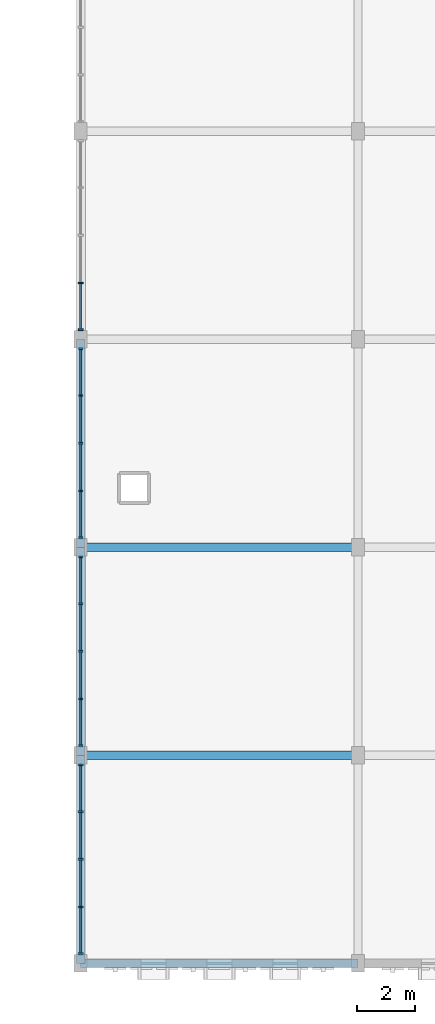
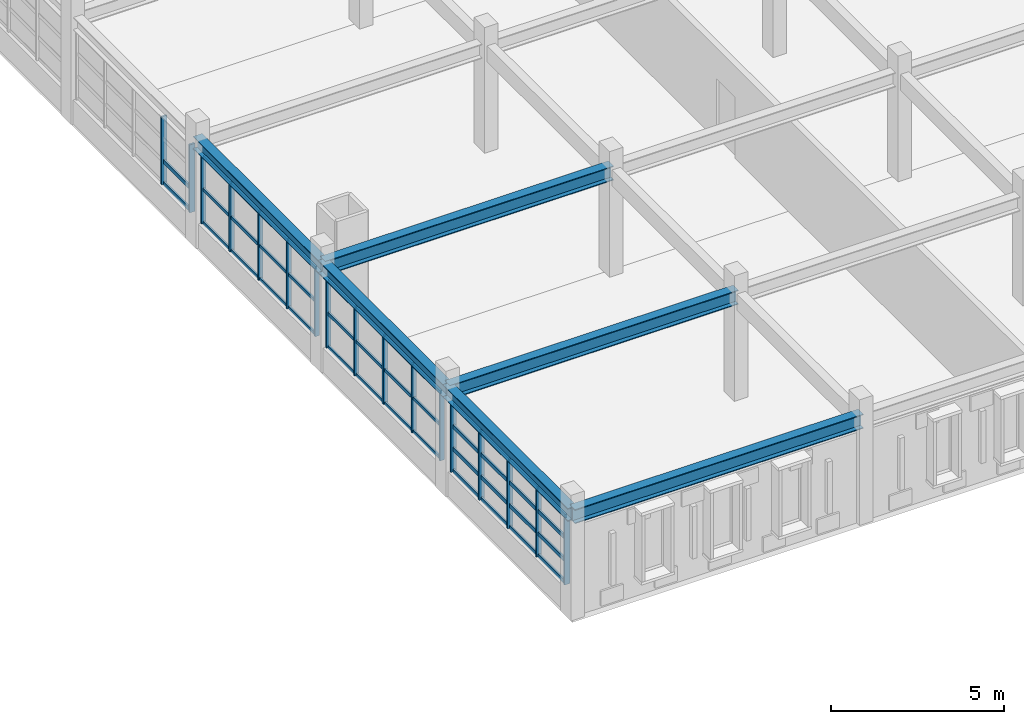
# One storey, part 9 of 69: 59 members, 6 beams, 4 elements without a shape of their own.
"""IFC4 building model written with IfcOpenShell, lengths in metres."""

from ifc_helpers import new_model, si_unit, direction, frame, origin, origin_2d, place, context, subcontext, project, spatial, rectangle, i_section, extrude, material, material_profile, profile_set, type_object, element, aggregate, save


model = new_model("IFC4")

# Units and contexts
model_context = context("Model", 3, precision=1e-05, world=origin(), true_north=direction((0.0, 1.0)))
body_context = subcontext(model_context, "Body", "Model", "MODEL_VIEW")
ifc_project = project(units=[si_unit("LENGTHUNIT", "METRE"), si_unit("AREAUNIT", "SQUARE_METRE"), si_unit("VOLUMEUNIT", "CUBIC_METRE"), si_unit("PLANEANGLEUNIT", "RADIAN"), si_unit("MASSUNIT", "GRAM", prefix="KILO")], contexts=[model_context])

# Site, building, storey
site_placement = place(None, origin())
site = spatial("IfcSite", under=ifc_project, at=site_placement, CompositionType="ELEMENT")
building_placement = place(site_placement, origin())
building = spatial("IfcBuilding", under=site, at=building_placement, Name="Nzembalo Square Collegiate School", CompositionType="ELEMENT")
storey_placement = place(building_placement, frame((0.0, 0.0, 5.10009765625)))
storey = spatial("IfcBuildingStorey", under=building, at=storey_placement, Name="L01", CompositionType="ELEMENT", Elevation=5.10009765625)

# Beams
ifc_material_1 = material(Name="Steel S355", Category="steel")
ifc_material_profile_1 = material_profile(ifc_material_1, i_section(OverallWidth=0.300048828125, OverallDepth=0.5, WebThickness=0.014404296875, FlangeThickness=0.028076171875, at=origin_2d()), Name="HEB 500")
ifc_profile_set_1 = profile_set([ifc_material_profile_1], Name="Steel S355")
beam_type_1 = type_object("IfcBeamType", Name="B07", PredefinedType="BEAM", material=ifc_profile_set_1)
for number, where, z_axis, x_axis, name in (
    (1, (130.800048828125, 8.39990234375, 3.5), (1.0, 0.0, 0.0), (0.0, 1.0, 0.0), "Beam B07 L01"),
    (2, (130.800048828125, 15.60009765625, 3.5), (1.0, 0.0, 0.0), (0.0, 1.0, 0.0), "Beam B07 L01"),
    (3, (130.800048828125, 22.800048828125, 3.5), (1.0, 0.0, 0.0), (0.0, 1.0, 0.0), "Beam B07 L01"),
):
    element("IfcBeam", number, at=place(storey_placement, frame(where, z_axis=z_axis, x_axis=x_axis)), inside=storey, type_object=beam_type_1, Name=name, PredefinedType="BEAM", context=body_context, shape_type="SweptSolid", body=[
        extrude(i_section(OverallWidth=0.300048828125, OverallDepth=0.5, WebThickness=0.014404296875, FlangeThickness=0.028076171875, at=origin_2d()), origin(), (0.0, 0.0, 1.0), 9.599853515625),
    ])
ifc_material_2 = material(Name="Steel S355", Category="steel")
ifc_material_profile_2 = material_profile(ifc_material_2, i_section(OverallWidth=0.300048828125, OverallDepth=0.449951171875, WebThickness=0.013916015625, FlangeThickness=0.02587890625, at=origin_2d()), Name="HEB 450")
ifc_profile_set_2 = profile_set([ifc_material_profile_2], Name="Steel S355")
beam_type_2 = type_object("IfcBeamType", Name="B08", PredefinedType="BEAM", material=ifc_profile_set_2)
beam_placement = place(storey_placement, frame((130.800048828125, 8.39990234375, 3.52490234375), z_axis=(0.0, 1.0, 0.0), x_axis=(-1.0, 0.0, 0.0)))
element("IfcBeam", 4, at=beam_placement, inside=storey, type_object=beam_type_2, Name="Beam B08 L01", PredefinedType="BEAM", context=body_context, shape_type="SweptSolid", body=[
    extrude(i_section(OverallWidth=0.300048828125, OverallDepth=0.449951171875, WebThickness=0.013916015625, FlangeThickness=0.02587890625, at=origin_2d()), origin(), (0.0, 0.0, 1.0), 7.2001953125),
])
for number, where, z_axis, x_axis, name in (
    (5, (130.800048828125, 15.60009765625, 3.52490234375), (0.0, 1.0, 0.0), (-1.0, 0.0, 0.0), "Beam B08 L01"),
    (6, (130.800048828125, 22.800048828125, 3.52490234375), (0.0, 1.0, 0.0), (-1.0, 0.0, 0.0), "Beam B08 L01"),
):
    element("IfcBeam", number, at=place(storey_placement, frame(where, z_axis=z_axis, x_axis=x_axis)), inside=storey, type_object=beam_type_2, Name=name, PredefinedType="BEAM", context=body_context, shape_type="SweptSolid", body=[
        extrude(i_section(OverallWidth=0.300048828125, OverallDepth=0.449951171875, WebThickness=0.013916015625, FlangeThickness=0.02587890625, at=origin_2d()), origin(), (0.0, 0.0, 1.0), 7.199951171875),
    ])

# Curtain wall, members
ifc_material_3 = material(Name="Aluminium 6060-T66", Category="aluminium")
curtain_wall_type_1 = type_object("IfcCurtainWallType", Name="CW-06", PredefinedType="USERDEFINED", material=ifc_material_3)
curtain_wall_1_placement = place(storey_placement, origin())
curtain_wall_1 = element("IfcCurtainWall", 7, at=curtain_wall_1_placement, inside=storey, type_object=curtain_wall_type_1, Name="Curtain wall CW-06 cw:L01:053", ObjectType="LANCET", PredefinedType="USERDEFINED")
ifc_material_4 = material(Name="Aluminium 6060-T66", Category="aluminium")
ifc_material_profile_3 = material_profile(ifc_material_4, rectangle(XDim=0.06005859375, YDim=0.179931640625, at=origin_2d()), Name="ALU M60x180")
ifc_profile_set_3 = profile_set([ifc_material_profile_3], Name="Aluminium 6060-T66")
member_type_1 = type_object("IfcMemberType", Name="ML01", PredefinedType="MULLION", material=ifc_profile_set_3)
member_1_placement = place(storey_placement, frame((130.800048828125, 8.73193359375, 0.849853515625), z_axis=(0.0, 0.0, 1.0), x_axis=(0.0, 1.0, 0.0)))
member_1 = element("IfcMember", 8, at=member_1_placement, type_object=member_type_1, Name="ML01 mullion 1", PredefinedType="MULLION", context=body_context, shape_type="SweptSolid", body=[
    extrude(rectangle(XDim=0.06005859375, YDim=0.179931640625, at=origin_2d()), origin(), (0.0, 0.0, 1.0), 2.39404296875),
])
member_2_placement = place(storey_placement, frame((130.800048828125, 10.35107421875, 0.849853515625), z_axis=(0.0, 0.0, 1.0), x_axis=(0.0, 1.0, 0.0)))
member_2 = element("IfcMember", 9, at=member_2_placement, type_object=member_type_1, Name="ML01 mullion 2", PredefinedType="MULLION", context=body_context, shape_type="SweptSolid", body=[
    extrude(rectangle(XDim=0.06005859375, YDim=0.179931640625, at=origin_2d()), origin(), (0.0, 0.0, 1.0), 2.39404296875),
])
member_3_placement = place(storey_placement, frame((130.800048828125, 12.0, 0.849853515625), z_axis=(0.0, 0.0, 1.0), x_axis=(0.0, 1.0, 0.0)))
member_3 = element("IfcMember", 10, at=member_3_placement, type_object=member_type_1, Name="ML01 mullion 3", PredefinedType="MULLION", context=body_context, shape_type="SweptSolid", body=[
    extrude(rectangle(XDim=0.06005859375, YDim=0.179931640625, at=origin_2d()), origin(), (0.0, 0.0, 1.0), 2.39404296875),
])
member_4_placement = place(storey_placement, frame((130.800048828125, 13.64892578125, 0.849853515625), z_axis=(0.0, 0.0, 1.0), x_axis=(0.0, 1.0, 0.0)))
member_4 = element("IfcMember", 11, at=member_4_placement, type_object=member_type_1, Name="ML01 mullion 4", PredefinedType="MULLION", context=body_context, shape_type="SweptSolid", body=[
    extrude(rectangle(XDim=0.06005859375, YDim=0.179931640625, at=origin_2d()), origin(), (0.0, 0.0, 1.0), 2.39404296875),
])
member_5_placement = place(storey_placement, frame((130.800048828125, 15.26806640625, 0.849853515625), z_axis=(0.0, 0.0, 1.0), x_axis=(0.0, 1.0, 0.0)))
member_5 = element("IfcMember", 12, at=member_5_placement, type_object=member_type_1, Name="ML01 mullion 5", PredefinedType="MULLION", context=body_context, shape_type="SweptSolid", body=[
    extrude(rectangle(XDim=0.06005859375, YDim=0.179931640625, at=origin_2d()), origin(), (0.0, 0.0, 1.0), 2.39404296875),
])

ifc_material_5 = material(Name="Aluminium 6060-T66", Category="aluminium")
curtain_wall_type_2 = type_object("IfcCurtainWallType", Name="CW-01", PredefinedType="USERDEFINED", material=ifc_material_5)
curtain_wall_2_placement = place(storey_placement, origin())
curtain_wall_2 = element("IfcCurtainWall", 13, at=curtain_wall_2_placement, inside=storey, type_object=curtain_wall_type_2, Name="Curtain wall CW-01 cw:L01:056", ObjectType="UNITISED", PredefinedType="USERDEFINED")
member_6_placement = place(storey_placement, frame((130.800048828125, 30.33203125, 0.849853515625), z_axis=(0.0, 0.0, 1.0), x_axis=(0.0, 1.0, 0.0)))
member_6 = element("IfcMember", 14, at=member_6_placement, type_object=member_type_1, Name="ML01 mullion 1", PredefinedType="MULLION", context=body_context, shape_type="SweptSolid", body=[
    extrude(rectangle(XDim=0.06005859375, YDim=0.179931640625, at=origin_2d()), origin(), (0.0, 0.0, 1.0), 2.39404296875),
])
member_7_placement = place(storey_placement, frame((130.800048828125, 31.950927734375, 0.849853515625), z_axis=(0.0, 0.0, 1.0), x_axis=(0.0, 1.0, 0.0)))
member_7 = element("IfcMember", 15, at=member_7_placement, type_object=member_type_1, Name="ML01 mullion 2", PredefinedType="MULLION", context=body_context, shape_type="SweptSolid", body=[
    extrude(rectangle(XDim=0.06005859375, YDim=0.179931640625, at=origin_2d()), origin(), (0.0, 0.0, 1.0), 2.39404296875),
])

ifc_material_6 = material(Name="Aluminium 6060-T66", Category="aluminium")
curtain_wall_type_3 = type_object("IfcCurtainWallType", Name="CW-07", PredefinedType="USERDEFINED", material=ifc_material_6)
curtain_wall_3_placement = place(storey_placement, origin())
curtain_wall_3 = element("IfcCurtainWall", 16, at=curtain_wall_3_placement, inside=storey, type_object=curtain_wall_type_3, Name="Curtain wall CW-07 cw:L01:054", ObjectType="LANCET", PredefinedType="USERDEFINED")
ifc_material_7 = material(Name="Aluminium 6060-T66", Category="aluminium")
ifc_material_profile_4 = material_profile(ifc_material_7, rectangle(XDim=0.06005859375, YDim=0.14990234375, at=origin_2d()), Name="ALU M60x150")
ifc_profile_set_4 = profile_set([ifc_material_profile_4], Name="Aluminium 6060-T66")
member_type_2 = type_object("IfcMemberType", Name="ML02", PredefinedType="MULLION", material=ifc_profile_set_4)
member_8_placement = place(storey_placement, frame((130.800048828125, 15.931884765625, 0.849853515625), z_axis=(0.0, 0.0, 1.0), x_axis=(0.0, 1.0, 0.0)))
member_8 = element("IfcMember", 17, at=member_8_placement, type_object=member_type_2, Name="ML02 mullion 1", PredefinedType="MULLION", context=body_context, shape_type="SweptSolid", body=[
    extrude(rectangle(XDim=0.06005859375, YDim=0.14990234375, at=origin_2d()), origin(), (0.0, 0.0, 1.0), 2.39404296875),
])
member_9_placement = place(storey_placement, frame((130.800048828125, 17.551025390625, 0.849853515625), z_axis=(0.0, 0.0, 1.0), x_axis=(0.0, 1.0, 0.0)))
member_9 = element("IfcMember", 18, at=member_9_placement, type_object=member_type_2, Name="ML02 mullion 2", PredefinedType="MULLION", context=body_context, shape_type="SweptSolid", body=[
    extrude(rectangle(XDim=0.06005859375, YDim=0.14990234375, at=origin_2d()), origin(), (0.0, 0.0, 1.0), 2.39404296875),
])
member_10_placement = place(storey_placement, frame((130.800048828125, 19.199951171875, 0.849853515625), z_axis=(0.0, 0.0, 1.0), x_axis=(0.0, 1.0, 0.0)))
member_10 = element("IfcMember", 19, at=member_10_placement, type_object=member_type_2, Name="ML02 mullion 3", PredefinedType="MULLION", context=body_context, shape_type="SweptSolid", body=[
    extrude(rectangle(XDim=0.06005859375, YDim=0.14990234375, at=origin_2d()), origin(), (0.0, 0.0, 1.0), 2.39404296875),
])
member_11_placement = place(storey_placement, frame((130.800048828125, 20.84912109375, 0.849853515625), z_axis=(0.0, 0.0, 1.0), x_axis=(0.0, 1.0, 0.0)))
member_11 = element("IfcMember", 20, at=member_11_placement, type_object=member_type_2, Name="ML02 mullion 4", PredefinedType="MULLION", context=body_context, shape_type="SweptSolid", body=[
    extrude(rectangle(XDim=0.06005859375, YDim=0.14990234375, at=origin_2d()), origin(), (0.0, 0.0, 1.0), 2.39404296875),
])
member_12_placement = place(storey_placement, frame((130.800048828125, 22.468017578125, 0.849853515625), z_axis=(0.0, 0.0, 1.0), x_axis=(0.0, 1.0, 0.0)))
member_12 = element("IfcMember", 21, at=member_12_placement, type_object=member_type_2, Name="ML02 mullion 5", PredefinedType="MULLION", context=body_context, shape_type="SweptSolid", body=[
    extrude(rectangle(XDim=0.06005859375, YDim=0.14990234375, at=origin_2d()), origin(), (0.0, 0.0, 1.0), 2.39404296875),
])

ifc_material_8 = material(Name="Aluminium 6060-T66", Category="aluminium")
curtain_wall_type_4 = type_object("IfcCurtainWallType", Name="CW-08", PredefinedType="USERDEFINED", material=ifc_material_8)
curtain_wall_4_placement = place(storey_placement, origin())
curtain_wall_4 = element("IfcCurtainWall", 22, at=curtain_wall_4_placement, inside=storey, type_object=curtain_wall_type_4, Name="Curtain wall CW-08 cw:L01:055", ObjectType="LANCET", PredefinedType="USERDEFINED")
member_13_placement = place(storey_placement, frame((130.800048828125, 23.132080078125, 0.849853515625), z_axis=(0.0, 0.0, 1.0), x_axis=(0.0, 1.0, 0.0)))
member_13 = element("IfcMember", 23, at=member_13_placement, type_object=member_type_2, Name="ML02 mullion 1", PredefinedType="MULLION", context=body_context, shape_type="SweptSolid", body=[
    extrude(rectangle(XDim=0.06005859375, YDim=0.14990234375, at=origin_2d()), origin(), (0.0, 0.0, 1.0), 2.39404296875),
])
member_14_placement = place(storey_placement, frame((130.800048828125, 24.7509765625, 0.849853515625), z_axis=(0.0, 0.0, 1.0), x_axis=(0.0, 1.0, 0.0)))
member_14 = element("IfcMember", 24, at=member_14_placement, type_object=member_type_2, Name="ML02 mullion 2", PredefinedType="MULLION", context=body_context, shape_type="SweptSolid", body=[
    extrude(rectangle(XDim=0.06005859375, YDim=0.14990234375, at=origin_2d()), origin(), (0.0, 0.0, 1.0), 2.39404296875),
])
member_15_placement = place(storey_placement, frame((130.800048828125, 26.39990234375, 0.849853515625), z_axis=(0.0, 0.0, 1.0), x_axis=(0.0, 1.0, 0.0)))
member_15 = element("IfcMember", 25, at=member_15_placement, type_object=member_type_2, Name="ML02 mullion 3", PredefinedType="MULLION", context=body_context, shape_type="SweptSolid", body=[
    extrude(rectangle(XDim=0.06005859375, YDim=0.14990234375, at=origin_2d()), origin(), (0.0, 0.0, 1.0), 2.39404296875),
])
member_16_placement = place(storey_placement, frame((130.800048828125, 28.049072265625, 0.849853515625), z_axis=(0.0, 0.0, 1.0), x_axis=(0.0, 1.0, 0.0)))
member_16 = element("IfcMember", 26, at=member_16_placement, type_object=member_type_2, Name="ML02 mullion 4", PredefinedType="MULLION", context=body_context, shape_type="SweptSolid", body=[
    extrude(rectangle(XDim=0.06005859375, YDim=0.14990234375, at=origin_2d()), origin(), (0.0, 0.0, 1.0), 2.39404296875),
])
member_17_placement = place(storey_placement, frame((130.800048828125, 29.66796875, 0.849853515625), z_axis=(0.0, 0.0, 1.0), x_axis=(0.0, 1.0, 0.0)))
member_17 = element("IfcMember", 27, at=member_17_placement, type_object=member_type_2, Name="ML02 mullion 5", PredefinedType="MULLION", context=body_context, shape_type="SweptSolid", body=[
    extrude(rectangle(XDim=0.06005859375, YDim=0.14990234375, at=origin_2d()), origin(), (0.0, 0.0, 1.0), 2.39404296875),
])

# Member
ifc_material_9 = material(Name="Aluminium 6060-T66", Category="aluminium")
ifc_material_profile_5 = material_profile(ifc_material_9, rectangle(XDim=0.06005859375, YDim=0.139892578125, at=origin_2d()), Name="ALU T60x140")
ifc_profile_set_5 = profile_set([ifc_material_profile_5], Name="Aluminium 6060-T66")
member_type_3 = type_object("IfcMemberType", Name="TR01", PredefinedType="USERDEFINED", material=ifc_profile_set_5)
member_18_placement = place(storey_placement, frame((130.800048828125, 8.761962890625, 0.8798828125), z_axis=(0.0, 1.0, 0.0), x_axis=(-1.0, 0.0, 0.0)))
member_18 = element("IfcMember", 28, at=member_18_placement, type_object=member_type_3, Name="TR01 transom 1-1", ObjectType="TRANSOM", PredefinedType="USERDEFINED", context=body_context, shape_type="SweptSolid", body=[
    extrude(rectangle(XDim=0.06005859375, YDim=0.139892578125, at=origin_2d()), origin(), (0.0, 0.0, 1.0), 1.55908203125),
])

member_19_placement = place(storey_placement, frame((130.800048828125, 10.381103515625, 0.8798828125), z_axis=(0.0, 1.0, 0.0), x_axis=(-1.0, 0.0, 0.0)))
member_19 = element("IfcMember", 29, at=member_19_placement, type_object=member_type_3, Name="TR01 transom 1-2", ObjectType="TRANSOM", PredefinedType="USERDEFINED", context=body_context, shape_type="SweptSolid", body=[
    extrude(rectangle(XDim=0.06005859375, YDim=0.139892578125, at=origin_2d()), origin(), (0.0, 0.0, 1.0), 1.5888671875),
])

member_20_placement = place(storey_placement, frame((130.800048828125, 12.030029296875, 0.8798828125), z_axis=(0.0, 1.0, 0.0), x_axis=(-1.0, 0.0, 0.0)))
member_20 = element("IfcMember", 30, at=member_20_placement, type_object=member_type_3, Name="TR01 transom 1-3", ObjectType="TRANSOM", PredefinedType="USERDEFINED", context=body_context, shape_type="SweptSolid", body=[
    extrude(rectangle(XDim=0.06005859375, YDim=0.139892578125, at=origin_2d()), origin(), (0.0, 0.0, 1.0), 1.5888671875),
])

member_21_placement = place(storey_placement, frame((130.800048828125, 13.678955078125, 0.8798828125), z_axis=(0.0, 1.0, 0.0), x_axis=(-1.0, 0.0, 0.0)))
member_21 = element("IfcMember", 31, at=member_21_placement, type_object=member_type_3, Name="TR01 transom 1-4", ObjectType="TRANSOM", PredefinedType="USERDEFINED", context=body_context, shape_type="SweptSolid", body=[
    extrude(rectangle(XDim=0.06005859375, YDim=0.139892578125, at=origin_2d()), origin(), (0.0, 0.0, 1.0), 1.55908203125),
])

member_22_placement = place(storey_placement, frame((130.800048828125, 8.761962890625, 1.64794921875), z_axis=(0.0, 1.0, 0.0), x_axis=(-1.0, 0.0, 0.0)))
member_22 = element("IfcMember", 32, at=member_22_placement, type_object=member_type_3, Name="TR01 transom 2-1", ObjectType="TRANSOM", PredefinedType="USERDEFINED", context=body_context, shape_type="SweptSolid", body=[
    extrude(rectangle(XDim=0.06005859375, YDim=0.139892578125, at=origin_2d()), origin(), (0.0, 0.0, 1.0), 1.55908203125),
])

member_23_placement = place(storey_placement, frame((130.800048828125, 10.381103515625, 1.64794921875), z_axis=(0.0, 1.0, 0.0), x_axis=(-1.0, 0.0, 0.0)))
member_23 = element("IfcMember", 33, at=member_23_placement, type_object=member_type_3, Name="TR01 transom 2-2", ObjectType="TRANSOM", PredefinedType="USERDEFINED", context=body_context, shape_type="SweptSolid", body=[
    extrude(rectangle(XDim=0.06005859375, YDim=0.139892578125, at=origin_2d()), origin(), (0.0, 0.0, 1.0), 1.5888671875),
])

member_24_placement = place(storey_placement, frame((130.800048828125, 12.030029296875, 1.64794921875), z_axis=(0.0, 1.0, 0.0), x_axis=(-1.0, 0.0, 0.0)))
member_24 = element("IfcMember", 34, at=member_24_placement, type_object=member_type_3, Name="TR01 transom 2-3", ObjectType="TRANSOM", PredefinedType="USERDEFINED", context=body_context, shape_type="SweptSolid", body=[
    extrude(rectangle(XDim=0.06005859375, YDim=0.139892578125, at=origin_2d()), origin(), (0.0, 0.0, 1.0), 1.5888671875),
])

member_25_placement = place(storey_placement, frame((130.800048828125, 13.678955078125, 1.64794921875), z_axis=(0.0, 1.0, 0.0), x_axis=(-1.0, 0.0, 0.0)))
member_25 = element("IfcMember", 35, at=member_25_placement, type_object=member_type_3, Name="TR01 transom 2-4", ObjectType="TRANSOM", PredefinedType="USERDEFINED", context=body_context, shape_type="SweptSolid", body=[
    extrude(rectangle(XDim=0.06005859375, YDim=0.139892578125, at=origin_2d()), origin(), (0.0, 0.0, 1.0), 1.55908203125),
])

member_26_placement = place(storey_placement, frame((130.800048828125, 8.761962890625, 2.44580078125), z_axis=(0.0, 1.0, 0.0), x_axis=(-1.0, 0.0, 0.0)))
member_26 = element("IfcMember", 36, at=member_26_placement, type_object=member_type_3, Name="TR01 transom 3-1", ObjectType="TRANSOM", PredefinedType="USERDEFINED", context=body_context, shape_type="SweptSolid", body=[
    extrude(rectangle(XDim=0.06005859375, YDim=0.139892578125, at=origin_2d()), origin(), (0.0, 0.0, 1.0), 1.55908203125),
])

member_27_placement = place(storey_placement, frame((130.800048828125, 10.381103515625, 2.44580078125), z_axis=(0.0, 1.0, 0.0), x_axis=(-1.0, 0.0, 0.0)))
member_27 = element("IfcMember", 37, at=member_27_placement, type_object=member_type_3, Name="TR01 transom 3-2", ObjectType="TRANSOM", PredefinedType="USERDEFINED", context=body_context, shape_type="SweptSolid", body=[
    extrude(rectangle(XDim=0.06005859375, YDim=0.139892578125, at=origin_2d()), origin(), (0.0, 0.0, 1.0), 1.5888671875),
])

member_28_placement = place(storey_placement, frame((130.800048828125, 12.030029296875, 2.44580078125), z_axis=(0.0, 1.0, 0.0), x_axis=(-1.0, 0.0, 0.0)))
member_28 = element("IfcMember", 38, at=member_28_placement, type_object=member_type_3, Name="TR01 transom 3-3", ObjectType="TRANSOM", PredefinedType="USERDEFINED", context=body_context, shape_type="SweptSolid", body=[
    extrude(rectangle(XDim=0.06005859375, YDim=0.139892578125, at=origin_2d()), origin(), (0.0, 0.0, 1.0), 1.5888671875),
])

member_29_placement = place(storey_placement, frame((130.800048828125, 13.678955078125, 2.44580078125), z_axis=(0.0, 1.0, 0.0), x_axis=(-1.0, 0.0, 0.0)))
member_29 = element("IfcMember", 39, at=member_29_placement, type_object=member_type_3, Name="TR01 transom 3-4", ObjectType="TRANSOM", PredefinedType="USERDEFINED", context=body_context, shape_type="SweptSolid", body=[
    extrude(rectangle(XDim=0.06005859375, YDim=0.139892578125, at=origin_2d()), origin(), (0.0, 0.0, 1.0), 1.55908203125),
])

member_30_placement = place(storey_placement, frame((130.800048828125, 8.761962890625, 3.2138671875), z_axis=(0.0, 1.0, 0.0), x_axis=(-1.0, 0.0, 0.0)))
member_30 = element("IfcMember", 40, at=member_30_placement, type_object=member_type_3, Name="TR01 transom 4-1", ObjectType="TRANSOM", PredefinedType="USERDEFINED", context=body_context, shape_type="SweptSolid", body=[
    extrude(rectangle(XDim=0.06005859375, YDim=0.139892578125, at=origin_2d()), origin(), (0.0, 0.0, 1.0), 1.55908203125),
])

member_31_placement = place(storey_placement, frame((130.800048828125, 10.381103515625, 3.2138671875), z_axis=(0.0, 1.0, 0.0), x_axis=(-1.0, 0.0, 0.0)))
member_31 = element("IfcMember", 41, at=member_31_placement, type_object=member_type_3, Name="TR01 transom 4-2", ObjectType="TRANSOM", PredefinedType="USERDEFINED", context=body_context, shape_type="SweptSolid", body=[
    extrude(rectangle(XDim=0.06005859375, YDim=0.139892578125, at=origin_2d()), origin(), (0.0, 0.0, 1.0), 1.5888671875),
])

member_32_placement = place(storey_placement, frame((130.800048828125, 12.030029296875, 3.2138671875), z_axis=(0.0, 1.0, 0.0), x_axis=(-1.0, 0.0, 0.0)))
member_32 = element("IfcMember", 42, at=member_32_placement, type_object=member_type_3, Name="TR01 transom 4-3", ObjectType="TRANSOM", PredefinedType="USERDEFINED", context=body_context, shape_type="SweptSolid", body=[
    extrude(rectangle(XDim=0.06005859375, YDim=0.139892578125, at=origin_2d()), origin(), (0.0, 0.0, 1.0), 1.5888671875),
])

member_33_placement = place(storey_placement, frame((130.800048828125, 13.678955078125, 3.2138671875), z_axis=(0.0, 1.0, 0.0), x_axis=(-1.0, 0.0, 0.0)))
member_33 = element("IfcMember", 43, at=member_33_placement, type_object=member_type_3, Name="TR01 transom 4-4", ObjectType="TRANSOM", PredefinedType="USERDEFINED", context=body_context, shape_type="SweptSolid", body=[
    extrude(rectangle(XDim=0.06005859375, YDim=0.139892578125, at=origin_2d()), origin(), (0.0, 0.0, 1.0), 1.55908203125),
])

aggregate(curtain_wall_1, [member_1, member_2, member_3, member_4, member_5, member_18, member_19, member_20, member_21, member_22, member_23, member_24, member_25, member_26, member_27, member_28, member_29, member_30, member_31, member_32, member_33])

member_34_placement = place(storey_placement, frame((130.800048828125, 30.362060546875, 0.8798828125), z_axis=(0.0, 1.0, 0.0), x_axis=(-1.0, 0.0, 0.0)))
member_34 = element("IfcMember", 44, at=member_34_placement, type_object=member_type_3, Name="TR01 transom 1-1", ObjectType="TRANSOM", PredefinedType="USERDEFINED", context=body_context, shape_type="SweptSolid", body=[
    extrude(rectangle(XDim=0.06005859375, YDim=0.139892578125, at=origin_2d()), origin(), (0.0, 0.0, 1.0), 1.558837890625),
])

member_35_placement = place(storey_placement, frame((130.800048828125, 30.362060546875, 1.64794921875), z_axis=(0.0, 1.0, 0.0), x_axis=(-1.0, 0.0, 0.0)))
member_35 = element("IfcMember", 45, at=member_35_placement, type_object=member_type_3, Name="TR01 transom 2-1", ObjectType="TRANSOM", PredefinedType="USERDEFINED", context=body_context, shape_type="SweptSolid", body=[
    extrude(rectangle(XDim=0.06005859375, YDim=0.139892578125, at=origin_2d()), origin(), (0.0, 0.0, 1.0), 1.558837890625),
])

aggregate(curtain_wall_2, [member_6, member_7, member_34, member_35])

ifc_material_10 = material(Name="Aluminium 6060-T66", Category="aluminium")
ifc_material_profile_6 = material_profile(ifc_material_10, rectangle(XDim=0.06005859375, YDim=0.110107421875, at=origin_2d()), Name="ALU T60x110")
ifc_profile_set_6 = profile_set([ifc_material_profile_6], Name="Aluminium 6060-T66")
member_type_4 = type_object("IfcMemberType", Name="TR02", PredefinedType="USERDEFINED", material=ifc_profile_set_6)
member_36_placement = place(storey_placement, frame((130.800048828125, 15.9619140625, 0.8798828125), z_axis=(0.0, 1.0, 0.0), x_axis=(-1.0, 0.0, 0.0)))
member_36 = element("IfcMember", 46, at=member_36_placement, type_object=member_type_4, Name="TR02 transom 1-1", ObjectType="TRANSOM", PredefinedType="USERDEFINED", context=body_context, shape_type="SweptSolid", body=[
    extrude(rectangle(XDim=0.06005859375, YDim=0.110107421875, at=origin_2d()), origin(), (0.0, 0.0, 1.0), 1.55908203125),
])

member_37_placement = place(storey_placement, frame((130.800048828125, 17.5810546875, 0.8798828125), z_axis=(0.0, 1.0, 0.0), x_axis=(-1.0, 0.0, 0.0)))
member_37 = element("IfcMember", 47, at=member_37_placement, type_object=member_type_4, Name="TR02 transom 1-2", ObjectType="TRANSOM", PredefinedType="USERDEFINED", context=body_context, shape_type="SweptSolid", body=[
    extrude(rectangle(XDim=0.06005859375, YDim=0.110107421875, at=origin_2d()), origin(), (0.0, 0.0, 1.0), 1.5888671875),
])

member_38_placement = place(storey_placement, frame((130.800048828125, 19.22998046875, 0.8798828125), z_axis=(0.0, 1.0, 0.0), x_axis=(-1.0, 0.0, 0.0)))
member_38 = element("IfcMember", 48, at=member_38_placement, type_object=member_type_4, Name="TR02 transom 1-3", ObjectType="TRANSOM", PredefinedType="USERDEFINED", context=body_context, shape_type="SweptSolid", body=[
    extrude(rectangle(XDim=0.06005859375, YDim=0.110107421875, at=origin_2d()), origin(), (0.0, 0.0, 1.0), 1.589111328125),
])

member_39_placement = place(storey_placement, frame((130.800048828125, 20.87890625, 0.8798828125), z_axis=(0.0, 1.0, 0.0), x_axis=(-1.0, 0.0, 0.0)))
member_39 = element("IfcMember", 49, at=member_39_placement, type_object=member_type_4, Name="TR02 transom 1-4", ObjectType="TRANSOM", PredefinedType="USERDEFINED", context=body_context, shape_type="SweptSolid", body=[
    extrude(rectangle(XDim=0.06005859375, YDim=0.110107421875, at=origin_2d()), origin(), (0.0, 0.0, 1.0), 1.55908203125),
])

member_40_placement = place(storey_placement, frame((130.800048828125, 15.9619140625, 2.046875), z_axis=(0.0, 1.0, 0.0), x_axis=(-1.0, 0.0, 0.0)))
member_40 = element("IfcMember", 50, at=member_40_placement, type_object=member_type_4, Name="TR02 transom 2-1", ObjectType="TRANSOM", PredefinedType="USERDEFINED", context=body_context, shape_type="SweptSolid", body=[
    extrude(rectangle(XDim=0.06005859375, YDim=0.110107421875, at=origin_2d()), origin(), (0.0, 0.0, 1.0), 1.55908203125),
])

member_41_placement = place(storey_placement, frame((130.800048828125, 17.5810546875, 2.046875), z_axis=(0.0, 1.0, 0.0), x_axis=(-1.0, 0.0, 0.0)))
member_41 = element("IfcMember", 51, at=member_41_placement, type_object=member_type_4, Name="TR02 transom 2-2", ObjectType="TRANSOM", PredefinedType="USERDEFINED", context=body_context, shape_type="SweptSolid", body=[
    extrude(rectangle(XDim=0.06005859375, YDim=0.110107421875, at=origin_2d()), origin(), (0.0, 0.0, 1.0), 1.5888671875),
])

member_42_placement = place(storey_placement, frame((130.800048828125, 19.22998046875, 2.046875), z_axis=(0.0, 1.0, 0.0), x_axis=(-1.0, 0.0, 0.0)))
member_42 = element("IfcMember", 52, at=member_42_placement, type_object=member_type_4, Name="TR02 transom 2-3", ObjectType="TRANSOM", PredefinedType="USERDEFINED", context=body_context, shape_type="SweptSolid", body=[
    extrude(rectangle(XDim=0.06005859375, YDim=0.110107421875, at=origin_2d()), origin(), (0.0, 0.0, 1.0), 1.589111328125),
])

member_43_placement = place(storey_placement, frame((130.800048828125, 20.87890625, 2.046875), z_axis=(0.0, 1.0, 0.0), x_axis=(-1.0, 0.0, 0.0)))
member_43 = element("IfcMember", 53, at=member_43_placement, type_object=member_type_4, Name="TR02 transom 2-4", ObjectType="TRANSOM", PredefinedType="USERDEFINED", context=body_context, shape_type="SweptSolid", body=[
    extrude(rectangle(XDim=0.06005859375, YDim=0.110107421875, at=origin_2d()), origin(), (0.0, 0.0, 1.0), 1.55908203125),
])

member_44_placement = place(storey_placement, frame((130.800048828125, 15.9619140625, 3.2138671875), z_axis=(0.0, 1.0, 0.0), x_axis=(-1.0, 0.0, 0.0)))
member_44 = element("IfcMember", 54, at=member_44_placement, type_object=member_type_4, Name="TR02 transom 3-1", ObjectType="TRANSOM", PredefinedType="USERDEFINED", context=body_context, shape_type="SweptSolid", body=[
    extrude(rectangle(XDim=0.06005859375, YDim=0.110107421875, at=origin_2d()), origin(), (0.0, 0.0, 1.0), 1.55908203125),
])

member_45_placement = place(storey_placement, frame((130.800048828125, 17.5810546875, 3.2138671875), z_axis=(0.0, 1.0, 0.0), x_axis=(-1.0, 0.0, 0.0)))
member_45 = element("IfcMember", 55, at=member_45_placement, type_object=member_type_4, Name="TR02 transom 3-2", ObjectType="TRANSOM", PredefinedType="USERDEFINED", context=body_context, shape_type="SweptSolid", body=[
    extrude(rectangle(XDim=0.06005859375, YDim=0.110107421875, at=origin_2d()), origin(), (0.0, 0.0, 1.0), 1.5888671875),
])

member_46_placement = place(storey_placement, frame((130.800048828125, 19.22998046875, 3.2138671875), z_axis=(0.0, 1.0, 0.0), x_axis=(-1.0, 0.0, 0.0)))
member_46 = element("IfcMember", 56, at=member_46_placement, type_object=member_type_4, Name="TR02 transom 3-3", ObjectType="TRANSOM", PredefinedType="USERDEFINED", context=body_context, shape_type="SweptSolid", body=[
    extrude(rectangle(XDim=0.06005859375, YDim=0.110107421875, at=origin_2d()), origin(), (0.0, 0.0, 1.0), 1.589111328125),
])

member_47_placement = place(storey_placement, frame((130.800048828125, 20.87890625, 3.2138671875), z_axis=(0.0, 1.0, 0.0), x_axis=(-1.0, 0.0, 0.0)))
member_47 = element("IfcMember", 57, at=member_47_placement, type_object=member_type_4, Name="TR02 transom 3-4", ObjectType="TRANSOM", PredefinedType="USERDEFINED", context=body_context, shape_type="SweptSolid", body=[
    extrude(rectangle(XDim=0.06005859375, YDim=0.110107421875, at=origin_2d()), origin(), (0.0, 0.0, 1.0), 1.55908203125),
])

aggregate(curtain_wall_3, [member_8, member_9, member_10, member_11, member_12, member_36, member_37, member_38, member_39, member_40, member_41, member_42, member_43, member_44, member_45, member_46, member_47])

member_48_placement = place(storey_placement, frame((130.800048828125, 23.162109375, 0.8798828125), z_axis=(0.0, 1.0, 0.0), x_axis=(-1.0, 0.0, 0.0)))
member_48 = element("IfcMember", 58, at=member_48_placement, type_object=member_type_4, Name="TR02 transom 1-1", ObjectType="TRANSOM", PredefinedType="USERDEFINED", context=body_context, shape_type="SweptSolid", body=[
    extrude(rectangle(XDim=0.06005859375, YDim=0.110107421875, at=origin_2d()), origin(), (0.0, 0.0, 1.0), 1.558837890625),
])

member_49_placement = place(storey_placement, frame((130.800048828125, 24.781005859375, 0.8798828125), z_axis=(0.0, 1.0, 0.0), x_axis=(-1.0, 0.0, 0.0)))
member_49 = element("IfcMember", 59, at=member_49_placement, type_object=member_type_4, Name="TR02 transom 1-2", ObjectType="TRANSOM", PredefinedType="USERDEFINED", context=body_context, shape_type="SweptSolid", body=[
    extrude(rectangle(XDim=0.06005859375, YDim=0.110107421875, at=origin_2d()), origin(), (0.0, 0.0, 1.0), 1.589111328125),
])

member_50_placement = place(storey_placement, frame((130.800048828125, 26.429931640625, 0.8798828125), z_axis=(0.0, 1.0, 0.0), x_axis=(-1.0, 0.0, 0.0)))
member_50 = element("IfcMember", 60, at=member_50_placement, type_object=member_type_4, Name="TR02 transom 1-3", ObjectType="TRANSOM", PredefinedType="USERDEFINED", context=body_context, shape_type="SweptSolid", body=[
    extrude(rectangle(XDim=0.06005859375, YDim=0.110107421875, at=origin_2d()), origin(), (0.0, 0.0, 1.0), 1.589111328125),
])

member_51_placement = place(storey_placement, frame((130.800048828125, 28.0791015625, 0.8798828125), z_axis=(0.0, 1.0, 0.0), x_axis=(-1.0, 0.0, 0.0)))
member_51 = element("IfcMember", 61, at=member_51_placement, type_object=member_type_4, Name="TR02 transom 1-4", ObjectType="TRANSOM", PredefinedType="USERDEFINED", context=body_context, shape_type="SweptSolid", body=[
    extrude(rectangle(XDim=0.06005859375, YDim=0.110107421875, at=origin_2d()), origin(), (0.0, 0.0, 1.0), 1.558837890625),
])

member_52_placement = place(storey_placement, frame((130.800048828125, 23.162109375, 2.046875), z_axis=(0.0, 1.0, 0.0), x_axis=(-1.0, 0.0, 0.0)))
member_52 = element("IfcMember", 62, at=member_52_placement, type_object=member_type_4, Name="TR02 transom 2-1", ObjectType="TRANSOM", PredefinedType="USERDEFINED", context=body_context, shape_type="SweptSolid", body=[
    extrude(rectangle(XDim=0.06005859375, YDim=0.110107421875, at=origin_2d()), origin(), (0.0, 0.0, 1.0), 1.558837890625),
])

member_53_placement = place(storey_placement, frame((130.800048828125, 24.781005859375, 2.046875), z_axis=(0.0, 1.0, 0.0), x_axis=(-1.0, 0.0, 0.0)))
member_53 = element("IfcMember", 63, at=member_53_placement, type_object=member_type_4, Name="TR02 transom 2-2", ObjectType="TRANSOM", PredefinedType="USERDEFINED", context=body_context, shape_type="SweptSolid", body=[
    extrude(rectangle(XDim=0.06005859375, YDim=0.110107421875, at=origin_2d()), origin(), (0.0, 0.0, 1.0), 1.589111328125),
])

member_54_placement = place(storey_placement, frame((130.800048828125, 26.429931640625, 2.046875), z_axis=(0.0, 1.0, 0.0), x_axis=(-1.0, 0.0, 0.0)))
member_54 = element("IfcMember", 64, at=member_54_placement, type_object=member_type_4, Name="TR02 transom 2-3", ObjectType="TRANSOM", PredefinedType="USERDEFINED", context=body_context, shape_type="SweptSolid", body=[
    extrude(rectangle(XDim=0.06005859375, YDim=0.110107421875, at=origin_2d()), origin(), (0.0, 0.0, 1.0), 1.589111328125),
])

member_55_placement = place(storey_placement, frame((130.800048828125, 28.0791015625, 2.046875), z_axis=(0.0, 1.0, 0.0), x_axis=(-1.0, 0.0, 0.0)))
member_55 = element("IfcMember", 65, at=member_55_placement, type_object=member_type_4, Name="TR02 transom 2-4", ObjectType="TRANSOM", PredefinedType="USERDEFINED", context=body_context, shape_type="SweptSolid", body=[
    extrude(rectangle(XDim=0.06005859375, YDim=0.110107421875, at=origin_2d()), origin(), (0.0, 0.0, 1.0), 1.558837890625),
])

member_56_placement = place(storey_placement, frame((130.800048828125, 23.162109375, 3.2138671875), z_axis=(0.0, 1.0, 0.0), x_axis=(-1.0, 0.0, 0.0)))
member_56 = element("IfcMember", 66, at=member_56_placement, type_object=member_type_4, Name="TR02 transom 3-1", ObjectType="TRANSOM", PredefinedType="USERDEFINED", context=body_context, shape_type="SweptSolid", body=[
    extrude(rectangle(XDim=0.06005859375, YDim=0.110107421875, at=origin_2d()), origin(), (0.0, 0.0, 1.0), 1.558837890625),
])

member_57_placement = place(storey_placement, frame((130.800048828125, 24.781005859375, 3.2138671875), z_axis=(0.0, 1.0, 0.0), x_axis=(-1.0, 0.0, 0.0)))
member_57 = element("IfcMember", 67, at=member_57_placement, type_object=member_type_4, Name="TR02 transom 3-2", ObjectType="TRANSOM", PredefinedType="USERDEFINED", context=body_context, shape_type="SweptSolid", body=[
    extrude(rectangle(XDim=0.06005859375, YDim=0.110107421875, at=origin_2d()), origin(), (0.0, 0.0, 1.0), 1.589111328125),
])

member_58_placement = place(storey_placement, frame((130.800048828125, 26.429931640625, 3.2138671875), z_axis=(0.0, 1.0, 0.0), x_axis=(-1.0, 0.0, 0.0)))
member_58 = element("IfcMember", 68, at=member_58_placement, type_object=member_type_4, Name="TR02 transom 3-3", ObjectType="TRANSOM", PredefinedType="USERDEFINED", context=body_context, shape_type="SweptSolid", body=[
    extrude(rectangle(XDim=0.06005859375, YDim=0.110107421875, at=origin_2d()), origin(), (0.0, 0.0, 1.0), 1.589111328125),
])

member_59_placement = place(storey_placement, frame((130.800048828125, 28.0791015625, 3.2138671875), z_axis=(0.0, 1.0, 0.0), x_axis=(-1.0, 0.0, 0.0)))
member_59 = element("IfcMember", 69, at=member_59_placement, type_object=member_type_4, Name="TR02 transom 3-4", ObjectType="TRANSOM", PredefinedType="USERDEFINED", context=body_context, shape_type="SweptSolid", body=[
    extrude(rectangle(XDim=0.06005859375, YDim=0.110107421875, at=origin_2d()), origin(), (0.0, 0.0, 1.0), 1.558837890625),
])

aggregate(curtain_wall_4, [member_13, member_14, member_15, member_16, member_17, member_48, member_49, member_50, member_51, member_52, member_53, member_54, member_55, member_56, member_57, member_58, member_59])

save(model, "model.ifc")
